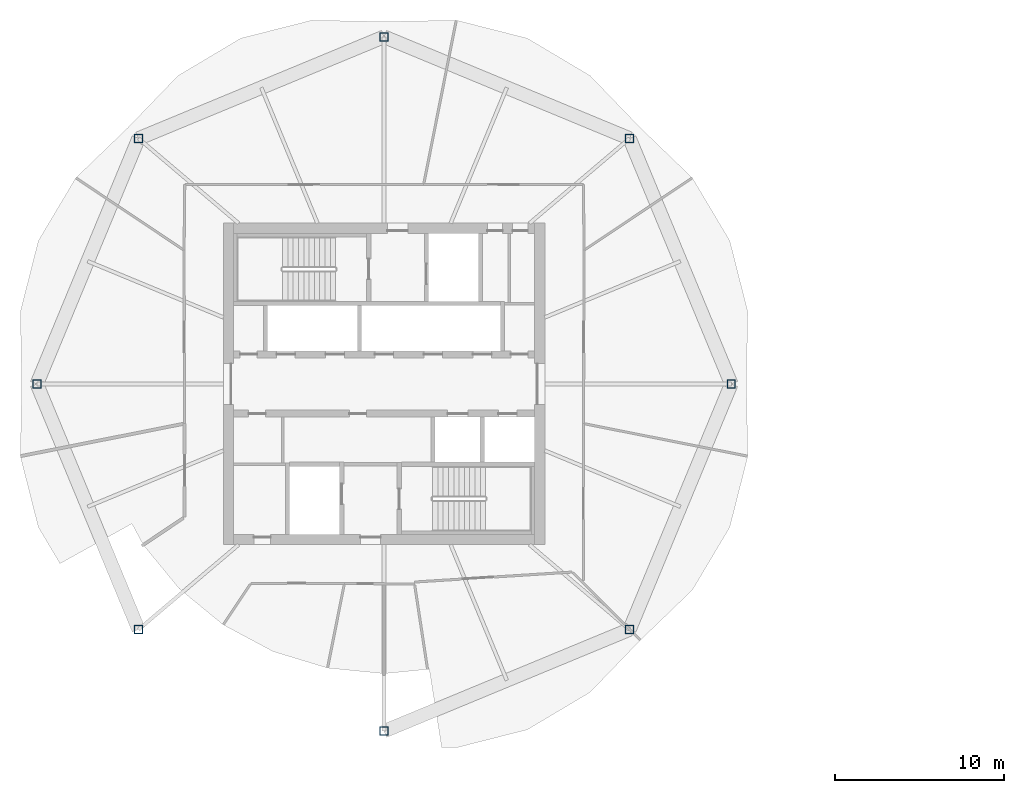
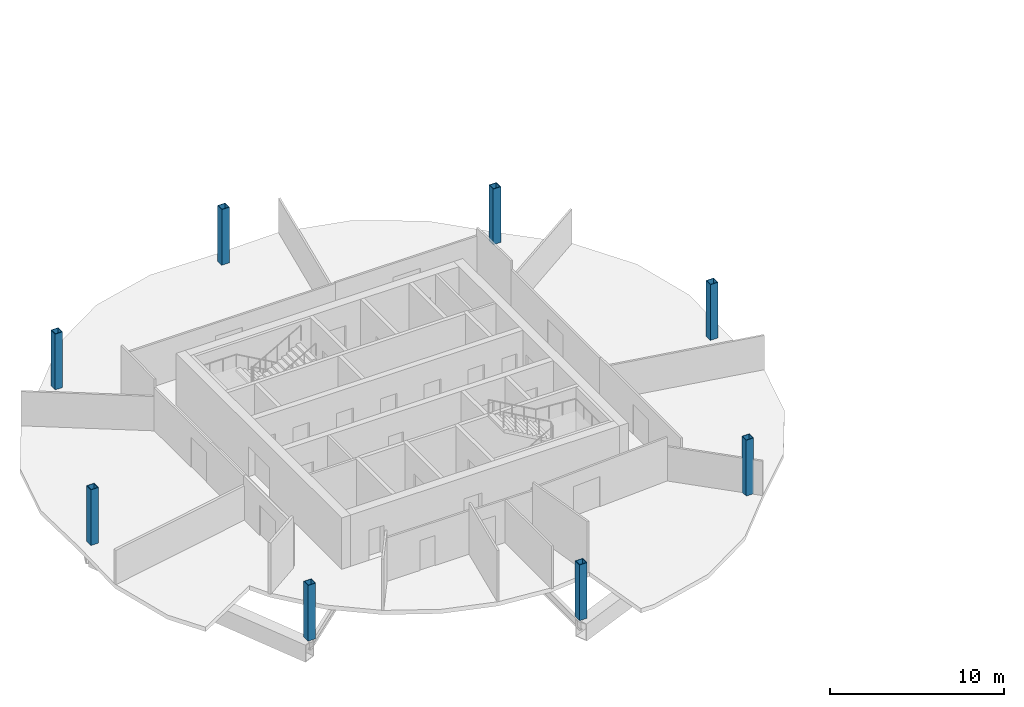
# One storey, part 1 of 9: 8 columns.
"""IFC4 building model written with IfcOpenShell, lengths in metres."""

from ifc_helpers import new_model, si_unit, direction, frame, origin, origin_2d, place, context, subcontext, project, spatial, hollow_rectangle, extrude, material, material_profile, profile_set, type_object, element, save


model = new_model("IFC4")

# Units and contexts
model_context = context("Model", 3, precision=1e-05, world=origin(), true_north=direction((0.0, 1.0)))
body_context = subcontext(model_context, "Body", "Model", "MODEL_VIEW")
ifc_project = project(units=[si_unit("LENGTHUNIT", "METRE"), si_unit("AREAUNIT", "SQUARE_METRE"), si_unit("VOLUMEUNIT", "CUBIC_METRE"), si_unit("PLANEANGLEUNIT", "RADIAN"), si_unit("MASSUNIT", "GRAM", prefix="KILO")], contexts=[model_context])

# Site, building, storey
site_placement = place(None, origin())
site = spatial("IfcSite", under=ifc_project, at=site_placement, CompositionType="ELEMENT")
building_placement = place(site_placement, origin())
building = spatial("IfcBuilding", under=site, at=building_placement, Name="Ogive Gate Towers", CompositionType="ELEMENT")
storey_placement = place(building_placement, frame((0.0, 0.0, 192.89990234375)))
storey = spatial("IfcBuildingStorey", under=building, at=storey_placement, Name="L46", CompositionType="ELEMENT", Elevation=192.89990234375)

# Columns
ifc_material = material(Name="Steel SM460", Category="steel")
ifc_material_profile = material_profile(ifc_material, hollow_rectangle(XDim=0.5, YDim=0.5, WallThickness=0.030029296875, at=origin_2d()), Name="BX 500x500x30")
ifc_profile_set = profile_set([ifc_material_profile], Name="Steel SM460")
column_type = type_object("IfcColumnType", Name="Perimeter post BX 500x500x30", PredefinedType="COLUMN", material=ifc_profile_set)
for number, where, z_axis, x_axis, name in (
    (1, (-15.47998046875, 0.0, 0.0), (0.0, 0.0, 1.0), (1.0, 0.0, 0.0), "T1/L46/SCL001"),
    (2, (-21.490234375, 14.509765625, 0.0), (0.0, 0.0, 1.0), (1.0, 0.0, 0.0), "T1/L46/SCL002"),
    (3, (-36.0, 20.52001953125, 0.0), (0.0, 0.0, 1.0), (1.0, 0.0, 0.0), "T1/L46/SCL003"),
    (4, (-50.509765625, 14.509765625, 0.0), (0.0, 0.0, 1.0), (1.0, 0.0, 0.0), "T1/L46/SCL004"),
    (5, (-56.52001953125, 0.0, 0.0), (0.0, 0.0, 1.0), (1.0, 0.0, 0.0), "T1/L46/SCL005"),
    (6, (-50.509765625, -14.509765625, 0.0), (0.0, 0.0, 1.0), (1.0, 0.0, 0.0), "T1/L46/SCL006"),
    (7, (-36.0, -20.52001953125, 0.0), (0.0, 0.0, 1.0), (1.0, 0.0, 0.0), "T1/L46/SCL007"),
    (8, (-21.490234375, -14.509765625, 0.0), (0.0, 0.0, 1.0), (1.0, 0.0, 0.0), "T1/L46/SCL008"),
):
    element("IfcColumn", number, at=place(storey_placement, frame(where, z_axis=z_axis, x_axis=x_axis)), inside=storey, type_object=column_type, Name=name, PredefinedType="COLUMN", context=body_context, shape_type="SweptSolid", body=[
        extrude(hollow_rectangle(XDim=0.5, YDim=0.5, WallThickness=0.030029296875, at=origin_2d()), origin(), (0.0, 0.0, 1.0), 3.900146484375),
    ])

save(model, "model.ifc")
